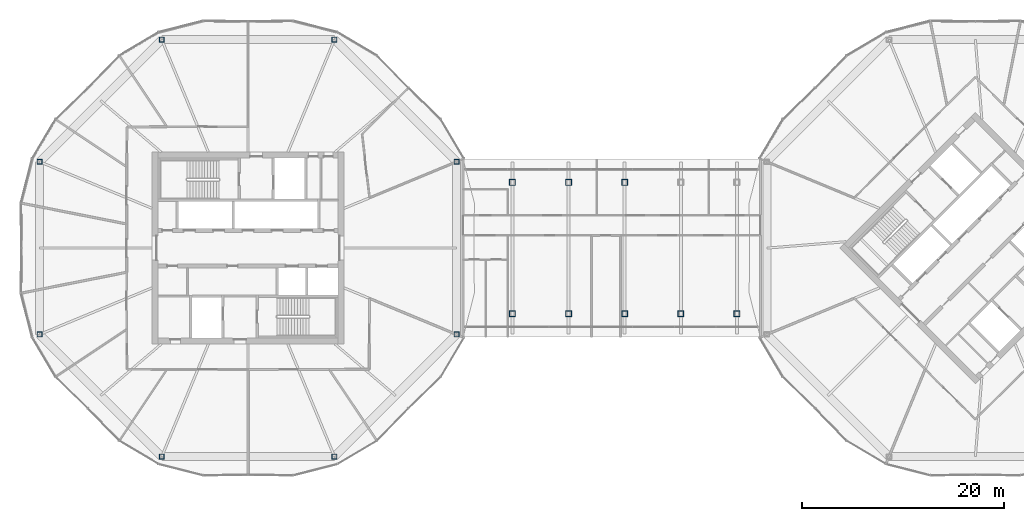
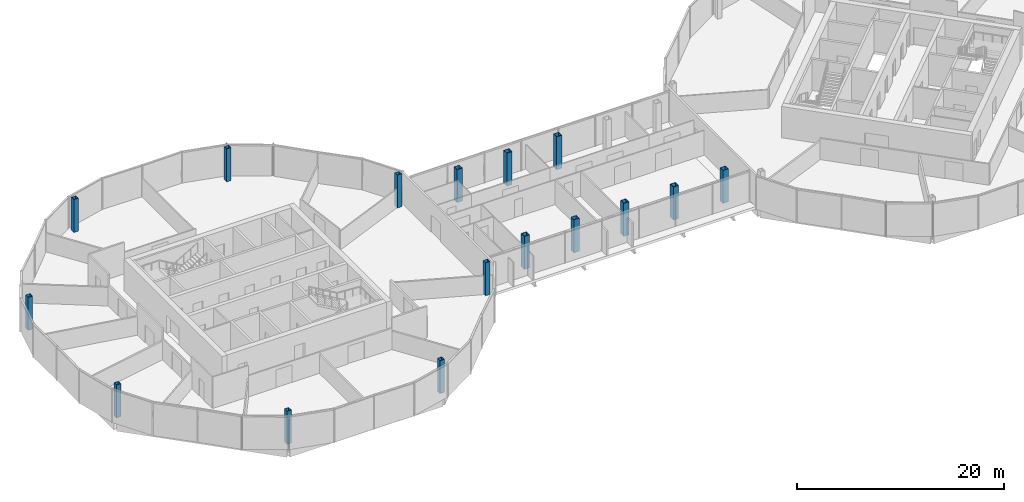
# One storey, part 1 of 26: 16 columns.
"""IFC4 building model written with IfcOpenShell, lengths in metres."""

import ifcopenshell
import ifcopenshell.guid

model = None  # the IFC model being written
_history = None  # IfcOwnerHistory: only IFC2X3 demands one
_inside = {}  # id of a spatial element -> (the spatial element, [elements in it])
_under = {}  # id of a project, library or spatial element -> (it, [spatial elements below it])
_declared = {}  # id of a project -> (the project, [libraries it declares])
_typed = {}  # id of a type object -> (the type object, [elements of that type])
_made_of = {}  # id of a material, layer set ... -> (it, [elements and type objects made of it])


def new_model(schema):
    """Start an empty IFC model of exactly this schema.

    Asked for "IFC4X3", IfcOpenShell would pick the latest addendum, in which some entities
    have other attributes; the version numbers below select the first issue.
    IFC2X3 requires an IfcOwnerHistory on every rooted entity: one is made here for all.
    """
    global model, _history
    if schema == "IFC4X3":
        model = ifcopenshell.file(schema_version=(4, 3, 0, 0))
    else:
        model = ifcopenshell.file(schema=schema)
    _inside.clear()
    _under.clear()
    _declared.clear()
    _typed.clear()
    _made_of.clear()
    _history = None
    if model.schema == "IFC2X3":
        org = make("IfcOrganization", Name="unknown")
        user = make(
            "IfcPersonAndOrganization",
            ThePerson=make("IfcPerson", FamilyName="unknown"),
            TheOrganization=org,
        )
        app = make(
            "IfcApplication",
            ApplicationDeveloper=org,
            Version="unknown",
            ApplicationFullName="unknown",
            ApplicationIdentifier="unknown",
        )
        _history = make(
            "IfcOwnerHistory",
            OwningUser=user,
            OwningApplication=app,
            ChangeAction="ADDED",
            CreationDate=0,
        )
    return model


def make(cls, **values):
    """One entity of the class cls with the attributes given. An attribute that is None is left unset."""
    return model.create_entity(
        cls, **{name: value for name, value in values.items() if value is not None}
    )


def rooted(cls, **values):
    """An entity with a GlobalId (a new one), such as an element, a storey or a relation."""
    return make(cls, GlobalId=ifcopenshell.guid.new(), OwnerHistory=_history, **values)


def si_unit(unit_type, name, prefix=None):
    """IfcSIUnit, for example si_unit("LENGTHUNIT", "METRE", prefix="MILLI")."""
    return make("IfcSIUnit", UnitType=unit_type, Prefix=prefix, Name=name)


def assignment(units):
    """IfcUnitAssignment: the units of a project."""
    return None if units is None else make("IfcUnitAssignment", Units=units)


def point(xyz):
    """IfcCartesianPoint."""
    return None if xyz is None else make("IfcCartesianPoint", Coordinates=xyz)


def direction(xyz):
    """IfcDirection."""
    return None if xyz is None else make("IfcDirection", DirectionRatios=xyz)


def frame(location, z_axis=None, x_axis=None):
    """IfcAxis2Placement3D, a coordinate frame: its origin and axes. An axis left out is left unset."""
    return make(
        "IfcAxis2Placement3D",
        Location=point(location),
        Axis=direction(z_axis),
        RefDirection=direction(x_axis),
    )


def frame_2d(location, x_axis=None):
    """IfcAxis2Placement2D, a coordinate frame in the plane: its origin and x axis."""
    return make(
        "IfcAxis2Placement2D", Location=point(location), RefDirection=direction(x_axis)
    )


def origin():
    """The frame at (0, 0, 0) with its axes left unset."""
    return frame((0.0, 0.0, 0.0))


def origin_2d():
    """The frame at (0, 0) in the plane with its x axis left unset."""
    return frame_2d((0.0, 0.0))


def place(relative_to, where):
    """IfcLocalPlacement: puts the frame where relative to a parent placement (None: the world)."""
    return make(
        "IfcLocalPlacement", PlacementRelTo=relative_to, RelativePlacement=where
    )


def context(
    kind, dimensions, precision=None, world=None, true_north=None, identifier=None
):
    """IfcGeometricRepresentationContext, for example the 3D "Model" context."""
    return make(
        "IfcGeometricRepresentationContext",
        ContextIdentifier=identifier,
        ContextType=kind,
        CoordinateSpaceDimension=dimensions,
        Precision=precision,
        WorldCoordinateSystem=world,
        TrueNorth=true_north,
    )


def subcontext(parent, identifier, kind, view, scale=None):
    """IfcGeometricRepresentationSubContext, for example "Body" below "Model"."""
    return make(
        "IfcGeometricRepresentationSubContext",
        ContextIdentifier=identifier,
        ContextType=kind,
        ParentContext=parent,
        TargetScale=scale,
        TargetView=view,
    )


def project(units=None, contexts=None):
    """IfcProject with its units and contexts."""
    return rooted(
        "IfcProject",
        Name="project",
        RepresentationContexts=contexts,
        UnitsInContext=assignment(units),
    )


def spatial(cls, under=None, at=None, **own):
    """A site, building, storey or space (cls), placed at a placement, below another one or the project."""
    s = rooted(cls, ObjectPlacement=at, **own)
    if under is not None:
        _under.setdefault(under.id(), (under, []))[1].append(s)
    return s


def profile(cls, at=None, kind="AREA", **sizes):
    """A parametric profile (cls). Its sizes go by their IFC names, for example OverallWidth=200.0."""
    return make(cls, ProfileType=kind, Position=at, **sizes)


def hollow_rectangle(**sizes):
    """IfcRectangleHollowProfileDef."""
    return profile("IfcRectangleHollowProfileDef", **sizes)


def extrude(swept, where, along, depth):
    """IfcExtrudedAreaSolid: the profile swept, set in the frame where, extruded along a direction by depth."""
    return make(
        "IfcExtrudedAreaSolid",
        SweptArea=swept,
        Position=where,
        ExtrudedDirection=direction(along),
        Depth=depth,
    )


def shape(context_of_items, identifier, shape_type, items):
    """IfcShapeRepresentation: the items that make up one representation, for example the "Body"."""
    return make(
        "IfcShapeRepresentation",
        ContextOfItems=context_of_items,
        RepresentationIdentifier=identifier,
        RepresentationType=shape_type,
        Items=items,
    )


def material(Name=None, Category=None):
    """IfcMaterial."""
    return make("IfcMaterial", Name=Name, Category=Category)


def material_profile(
    of_material, cross_section, Name=None, Category=None, Priority=None
):
    """IfcMaterialProfile: a cross section and its material."""
    return make(
        "IfcMaterialProfile",
        Name=Name,
        Material=of_material,
        Profile=cross_section,
        Priority=Priority,
        Category=Category,
    )


def profile_set(profiles, Name=None, composite=None):
    """IfcMaterialProfileSet."""
    return make(
        "IfcMaterialProfileSet",
        Name=Name,
        MaterialProfiles=profiles,
        CompositeProfile=composite,
    )


def made_of(thing, what):
    """Note that an element or type object is made of a material, layer set ...; save() writes the relation."""
    if what is not None:
        _made_of.setdefault(what.id(), (what, []))[1].append(thing)
    return thing


def type_object(cls, material=None, **own):
    """A type object (cls), such as IfcWallType, which elements share."""
    return made_of(rooted(cls, **own), material)


def element(
    cls,
    number,
    at=None,
    inside=None,
    cuts=None,
    type_object=None,
    material=None,
    context=None,
    identifier="Body",
    shape_type=None,
    held_by="IfcProductDefinitionShape",
    body=None,
    shapes=None,
    **own,
):
    """One element of the class cls, such as IfcWall. Its Tag is "e" and its number.

    at: its placement. inside: the storey or other place that contains it. cuts: it is an
    opening in that element (IfcRelVoidsElement). A single representation is given by context,
    identifier, shape_type and body (its items); several are given by shapes. held_by: the class
    of the entity that holds the representations. save() writes the other relations.
    """
    e = rooted(cls, Tag="e%d" % number, ObjectPlacement=at, **own)
    if body is not None:
        shapes = [shape(context, identifier, shape_type, body)]
    if shapes is not None:
        e.Representation = make(held_by, Representations=shapes)
    if inside is not None:
        _inside.setdefault(inside.id(), (inside, []))[1].append(e)
    if cuts is not None:
        rooted(
            "IfcRelVoidsElement", RelatingBuildingElement=cuts, RelatedOpeningElement=e
        )
    if type_object is not None:
        _typed.setdefault(type_object.id(), (type_object, []))[1].append(e)
    return made_of(e, material)


def aggregate(whole, parts):
    """IfcRelAggregates: a whole, such as a stair, and the parts it consists of."""
    return rooted("IfcRelAggregates", RelatingObject=whole, RelatedObjects=parts)


def save(model, path):
    """Write the relations noted so far, then the file.

    IfcRelAggregates (storeys below a building ...), IfcRelContainedInSpatialStructure (elements
    in a storey), IfcRelDefinesByType, IfcRelAssociatesMaterial and IfcRelDeclares: one each for
    every whole, place, type object, material and project.
    """
    for whole, parts in _under.values():
        aggregate(whole, parts)
    for where, things in _inside.values():
        rooted(
            "IfcRelContainedInSpatialStructure",
            RelatedElements=things,
            RelatingStructure=where,
        )
    for kind, things in _typed.values():
        rooted("IfcRelDefinesByType", RelatedObjects=things, RelatingType=kind)
    for what, things in _made_of.values():
        rooted("IfcRelAssociatesMaterial", RelatedObjects=things, RelatingMaterial=what)
    for by, libraries in _declared.values():
        rooted("IfcRelDeclares", RelatingContext=by, RelatedDefinitions=libraries)
    model.write(path)


model = new_model("IFC4")

# Units and contexts
model_context = context("Model", 3, precision=1e-05, world=origin(), true_north=direction((0.0, 1.0)))
body_context = subcontext(model_context, "Body", "Model", "MODEL_VIEW")
ifc_project = project(units=[si_unit("LENGTHUNIT", "METRE"), si_unit("AREAUNIT", "SQUARE_METRE"), si_unit("VOLUMEUNIT", "CUBIC_METRE"), si_unit("PLANEANGLEUNIT", "RADIAN"), si_unit("MASSUNIT", "GRAM", prefix="KILO")], contexts=[model_context])

# Site, building, storey
site_placement = place(None, origin())
site = spatial("IfcSite", under=ifc_project, at=site_placement, CompositionType="ELEMENT")
building_placement = place(site_placement, origin())
building = spatial("IfcBuilding", under=site, at=building_placement, Name="Ogive Gate Towers", CompositionType="ELEMENT")
storey_placement = place(building_placement, frame((0.0, 0.0, 156.800048828125)))
storey = spatial("IfcBuildingStorey", under=building, at=storey_placement, Name="L37", CompositionType="ELEMENT", Elevation=156.800048828125)

# Columns
ifc_material = material(Name="Steel SM460", Category="steel")
ifc_material_profile_1 = material_profile(ifc_material, hollow_rectangle(XDim=0.60009765625, YDim=0.60009765625, WallThickness=0.0400390625, at=origin_2d()), Name="BX 600x600x40")
ifc_profile_set_1 = profile_set([ifc_material_profile_1], Name="Steel SM460")
column_type_1 = type_object("IfcColumnType", Name="Block column BX 600x600x40", PredefinedType="COLUMN", material=ifc_profile_set_1)
for number, where, z_axis, x_axis, name in (
    (1, (-9.83056640625, -6.5, 0.0), (0.0, 0.0, 1.0), (1.0, 0.0, 0.0), "BR/L37/SCL001"),
    (2, (-9.83056640625, 6.5, 0.0), (0.0, 0.0, 1.0), (1.0, 0.0, 0.0), "BR/L37/SCL002"),
    (3, (-4.27392578125, -6.5, 0.0), (0.0, 0.0, 1.0), (1.0, 0.0, 0.0), "BR/L37/SCL003"),
    (4, (-4.27392578125, 6.5, 0.0), (0.0, 0.0, 1.0), (1.0, 0.0, 0.0), "BR/L37/SCL004"),
    (5, (1.282470703125, -6.5, 0.0), (0.0, 0.0, 1.0), (1.0, 0.0, 0.0), "BR/L37/SCL005"),
    (6, (1.282470703125, 6.5, 0.0), (0.0, 0.0, 1.0), (1.0, 0.0, 0.0), "BR/L37/SCL006"),
    (7, (6.8388671875, -6.5, 0.0), (0.0, 0.0, 1.0), (1.0, 0.0, 0.0), "BR/L37/SCL007"),
    (8, (12.3955078125, -6.5, 0.0), (0.0, 0.0, 1.0), (1.0, 0.0, 0.0), "BR/L37/SCL009"),
):
    element("IfcColumn", number, at=place(storey_placement, frame(where, z_axis=z_axis, x_axis=x_axis)), inside=storey, type_object=column_type_1, Name=name, PredefinedType="COLUMN", context=body_context, shape_type="SweptSolid", body=[
        extrude(hollow_rectangle(XDim=0.60009765625, YDim=0.60009765625, WallThickness=0.0400390625, at=origin_2d()), origin(), (0.0, 0.0, 1.0), 3.89990234375),
    ])
ifc_material_profile_2 = material_profile(ifc_material, hollow_rectangle(XDim=0.5, YDim=0.5, WallThickness=0.030029296875, at=origin_2d()), Name="BX 500x500x30")
ifc_profile_set_2 = profile_set([ifc_material_profile_2], Name="Steel SM460")
column_type_2 = type_object("IfcColumnType", Name="Perimeter post BX 500x500x30", PredefinedType="COLUMN", material=ifc_profile_set_2)
for number, where, z_axis, x_axis, name in (
    (9, (-15.360595703125, 8.549072265625, 0.0), (0.0, 0.0, 1.0), (1.0, 0.0, 0.0), "T1/L37/SCL001"),
    (10, (-27.450927734375, 20.639404296875, 0.0), (0.0, 0.0, 1.0), (1.0, 0.0, 0.0), "T1/L37/SCL002"),
    (11, (-44.549072265625, 20.639404296875, 0.0), (0.0, 0.0, 1.0), (1.0, 0.0, 0.0), "T1/L37/SCL003"),
    (12, (-56.639404296875, 8.549072265625, 0.0), (0.0, 0.0, 1.0), (1.0, 0.0, 0.0), "T1/L37/SCL004"),
    (13, (-56.639404296875, -8.549072265625, 0.0), (0.0, 0.0, 1.0), (1.0, 0.0, 0.0), "T1/L37/SCL005"),
    (14, (-44.549072265625, -20.639404296875, 0.0), (0.0, 0.0, 1.0), (1.0, 0.0, 0.0), "T1/L37/SCL006"),
    (15, (-27.450927734375, -20.639404296875, 0.0), (0.0, 0.0, 1.0), (1.0, 0.0, 0.0), "T1/L37/SCL007"),
    (16, (-15.360595703125, -8.549072265625, 0.0), (0.0, 0.0, 1.0), (1.0, 0.0, 0.0), "T1/L37/SCL008"),
):
    element("IfcColumn", number, at=place(storey_placement, frame(where, z_axis=z_axis, x_axis=x_axis)), inside=storey, type_object=column_type_2, Name=name, PredefinedType="COLUMN", context=body_context, shape_type="SweptSolid", body=[
        extrude(hollow_rectangle(XDim=0.5, YDim=0.5, WallThickness=0.030029296875, at=origin_2d()), origin(), (0.0, 0.0, 1.0), 3.89990234375),
    ])

save(model, "model.ifc")
